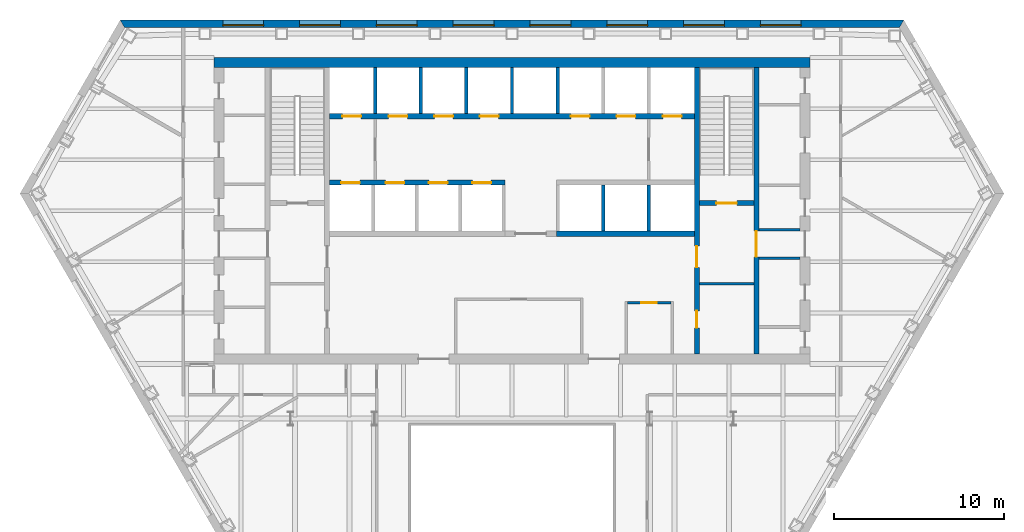
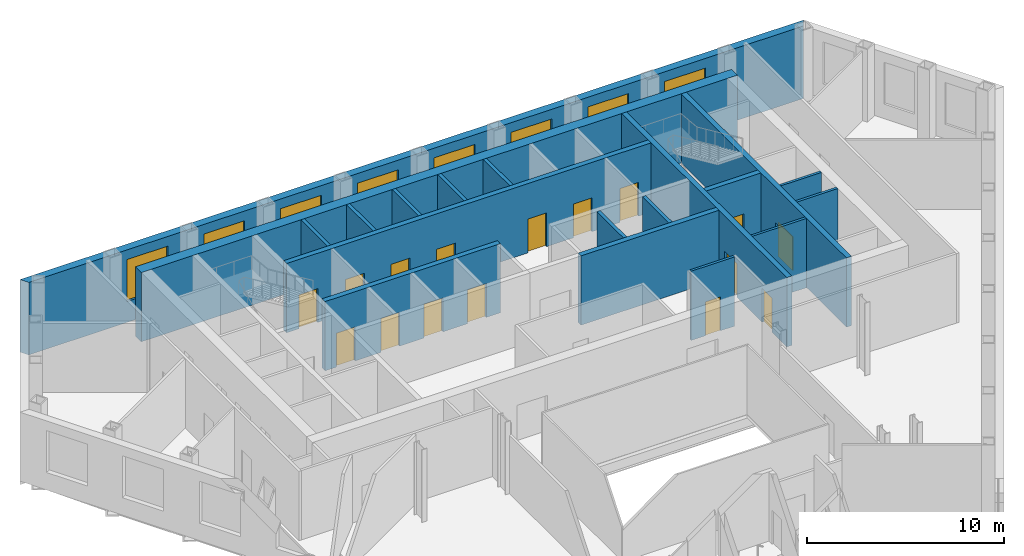
# One storey, part 7 of 11: 19 walls, 16 doors, 8 windows, 24 openings.
"""IFC4 building model written with IfcOpenShell, lengths in metres."""

from ifc_helpers import new_model, si_unit, direction, frame, frame_2d, origin, place, context, subcontext, project, spatial, polyline, rectangle, outline, extrude, material, layer, layer_set, type_object, element, fill, save


model = new_model("IFC4")

# Units and contexts
model_context = context("Model", 3, precision=1e-05, world=origin(), true_north=direction((0.0, 1.0)))
body_context = subcontext(model_context, "Body", "Model", "MODEL_VIEW")
ifc_project = project(units=[si_unit("LENGTHUNIT", "METRE"), si_unit("AREAUNIT", "SQUARE_METRE"), si_unit("VOLUMEUNIT", "CUBIC_METRE"), si_unit("PLANEANGLEUNIT", "RADIAN"), si_unit("MASSUNIT", "GRAM", prefix="KILO")], contexts=[model_context])

# Site, building, storey
site_placement = place(None, origin())
site = spatial("IfcSite", under=ifc_project, at=site_placement, CompositionType="ELEMENT")
building_placement = place(site_placement, origin())
building = spatial("IfcBuilding", under=site, at=building_placement, Name="Njiva Tower", CompositionType="ELEMENT")
storey_placement = place(building_placement, frame((0.0, 0.0, 33.3)))
storey = spatial("IfcBuildingStorey", under=building, at=storey_placement, Name="L06", CompositionType="ELEMENT", Elevation=33.3)

# Wall
ifc_material_1 = material(Name="Blockwork", Category="masonry")
ifc_layer_1 = layer(ifc_material_1, 0.15)
ifc_layer_set_1 = layer_set([ifc_layer_1], Name="Blockwork")
wall_type_1 = type_object("IfcWallType", Name="WT1 Compartment partition 150", PredefinedType="PARTITIONING", material=ifc_layer_set_1)
wall_1_placement = place(storey_placement, frame((11.0, 4.725, 0.0), z_axis=(0.0, 0.0, 1.0), x_axis=(1.0, 0.0, 0.0)))
element("IfcWall", 1, at=wall_1_placement, inside=storey, type_object=wall_type_1, Name="Room wall B", PredefinedType="PARTITIONING", context=body_context, shape_type="SweptSolid", body=[
    extrude(rectangle(XDim=3.2, YDim=0.15, at=frame_2d((1.6, 0.0))), origin(), (0.0, 0.0, 1.0), 4.3),
])

# Wall, opening, door
wall_2_placement = place(storey_placement, frame((6.775, 3.6, 0.0), z_axis=(0.0, 0.0, 1.0), x_axis=(1.0, 0.0, 0.0)))
wall_2 = element("IfcWall", 2, at=wall_2_placement, inside=storey, type_object=wall_type_1, Name="Tenant reception wall north", PredefinedType="PARTITIONING", context=body_context, shape_type="SweptSolid", body=[
    extrude(rectangle(XDim=2.55, YDim=0.15, at=frame_2d((1.275, 0.0))), origin(), (0.0, 0.0, 1.0), 4.3),
])
opening_1_placement = place(wall_2_placement, frame((0.825, 0.0, 0.0)))
opening_1 = element("IfcOpeningElement", 3, at=opening_1_placement, cuts=wall_2, Name="Opening S02-D935", PredefinedType="OPENING", context=body_context, shape_type="SweptSolid", body=[
    extrude(rectangle(XDim=0.9, YDim=2.1, at=frame_2d((0.45, 1.05))), frame((0.0, 0.085, 0.0), z_axis=(0.0, -1.0, 0.0), x_axis=(1.0, 0.0, 0.0)), (0.0, 0.0, 1.0), 0.17),
])
ifc_material_2 = material(Name="Steel fire door, painted", Category="steel")
door_type_1 = type_object("IfcDoorType", Name="D6 Fire-rated door 900x2100", OperationType="SINGLE_SWING_LEFT", PredefinedType="DOOR", material=ifc_material_2)
door_1_placement = place(opening_1_placement, origin())
door_1 = element("IfcDoor", 4, at=door_1_placement, inside=storey, type_object=door_type_1, Name="Tenant reception door", OperationType="SINGLE_SWING_RIGHT", OverallHeight=2.1, OverallWidth=0.9, PredefinedType="DOOR", context=body_context, shape_type="SweptSolid", body=[
    extrude(rectangle(XDim=0.9, YDim=2.1, at=frame_2d((0.45, 1.05))), frame((0.0, 0.025, 0.0), z_axis=(0.0, -1.0, 0.0), x_axis=(1.0, 0.0, 0.0)), (0.0, 0.0, 1.0), 0.05),
])
fill(opening_1, door_1)

# Wall, openings, doors
ifc_material_3 = material(Name="Concrete C40/50", Category="concrete")
ifc_layer_2 = layer(ifc_material_3, 0.3)
ifc_layer_set_2 = layer_set([ifc_layer_2], Name="Concrete C40/50")
wall_type_2 = type_object("IfcWallType", Name="WT10 Stair enclosure wall 300", PredefinedType="SHEAR", material=ifc_layer_set_2)
wall_3_placement = place(storey_placement, frame((10.85, 0.6, 0.0), z_axis=(0.0, 0.0, 1.0), x_axis=(0.0, 1.0, 0.0)))
wall_3 = element("IfcWall", 5, at=wall_3_placement, inside=storey, type_object=wall_type_2, Name="Stair wall east inner", PredefinedType="SHEAR", context=body_context, shape_type="SweptSolid", body=[
    extrude(rectangle(XDim=16.8, YDim=0.3, at=frame_2d((8.4, 0.0))), origin(), (0.0, 0.0, 1.0), 4.3),
])
opening_2_placement = place(wall_3_placement, frame((5.075, 0.0, 0.0)))
opening_2 = element("IfcOpeningElement", 6, at=opening_2_placement, cuts=wall_3, Name="Opening S02-D918", PredefinedType="OPENING", context=body_context, shape_type="SweptSolid", body=[
    extrude(rectangle(XDim=1.25, YDim=2.1, at=frame_2d((0.625, 1.05))), frame((0.0, 0.16, 0.0), z_axis=(0.0, -1.0, 0.0), x_axis=(1.0, 0.0, 0.0)), (0.0, 0.0, 1.0), 0.32),
])
opening_3_placement = place(wall_3_placement, frame((1.525, 0.0, 0.0)))
opening_3 = element("IfcOpeningElement", 7, at=opening_3_placement, cuts=wall_3, Name="Opening S02-D919", PredefinedType="OPENING", context=body_context, shape_type="SweptSolid", body=[
    extrude(rectangle(XDim=1.0, YDim=2.1, at=frame_2d((0.5, 1.05))), frame((0.0, 0.16, 0.0), z_axis=(0.0, -1.0, 0.0), x_axis=(1.0, 0.0, 0.0)), (0.0, 0.0, 1.0), 0.32),
])
ifc_material_4 = material(Name="Steel door, painted", Category="steel")
door_type_2 = type_object("IfcDoorType", Name="D5 Steel door 1000x2100", OperationType="SINGLE_SWING_LEFT", PredefinedType="DOOR", material=ifc_material_4)
door_2_placement = place(opening_3_placement, origin())
door_2 = element("IfcDoor", 8, at=door_2_placement, inside=storey, type_object=door_type_2, Name="Prayer room door", OperationType="SINGLE_SWING_LEFT", OverallHeight=2.1, OverallWidth=1.0, PredefinedType="DOOR", context=body_context, shape_type="SweptSolid", body=[
    extrude(rectangle(XDim=1.0, YDim=2.1, at=frame_2d((0.5, 1.05))), frame((0.0, 0.025, 0.0), z_axis=(0.0, -1.0, 0.0), x_axis=(1.0, 0.0, 0.0)), (0.0, 0.0, 1.0), 0.05),
])
fill(opening_3, door_2)
ifc_material_5 = material(Name="Glazed steel fire door", Category="steel")
door_type_3 = type_object("IfcDoorType", Name="D8 Vestibule corridor door 1250x2100 glazed", OperationType="SINGLE_SWING_LEFT", PredefinedType="DOOR", material=ifc_material_5)
door_3_placement = place(opening_2_placement, origin())
door_3 = element("IfcDoor", 9, at=door_3_placement, inside=storey, type_object=door_type_3, Name="Stair vestibule corridor door", OperationType="SINGLE_SWING_RIGHT", OverallHeight=2.1, OverallWidth=1.25, PredefinedType="DOOR", context=body_context, shape_type="SweptSolid", body=[
    extrude(rectangle(XDim=1.25, YDim=2.1, at=frame_2d((0.625, 1.05))), frame((0.0, 0.025, 0.0), z_axis=(0.0, -1.0, 0.0), x_axis=(1.0, 0.0, 0.0)), (0.0, 0.0, 1.0), 0.05),
])
fill(opening_2, door_3)

# Wall, opening, door
wall_4_placement = place(storey_placement, frame((14.35, 0.6, 0.0), z_axis=(0.0, 0.0, 1.0), x_axis=(0.0, 1.0, 0.0)))
wall_4 = element("IfcWall", 10, at=wall_4_placement, inside=storey, type_object=wall_type_2, Name="Stair wall east outer", PredefinedType="SHEAR", context=body_context, shape_type="SweptSolid", body=[
    extrude(rectangle(XDim=16.8, YDim=0.3, at=frame_2d((8.4, 0.0))), origin(), (0.0, 0.0, 1.0), 4.3),
])
opening_4_placement = place(wall_4_placement, frame((5.7, 0.0, 0.0)))
opening_4 = element("IfcOpeningElement", 11, at=opening_4_placement, cuts=wall_4, Name="Opening S02-D927", PredefinedType="OPENING", context=body_context, shape_type="SweptSolid", body=[
    extrude(rectangle(XDim=1.5, YDim=2.1, at=frame_2d((0.75, 1.05))), frame((0.0, 0.16, 0.0), z_axis=(0.0, -1.0, 0.0), x_axis=(1.0, 0.0, 0.0)), (0.0, 0.0, 1.0), 0.32),
])
door_type_4 = type_object("IfcDoorType", Name="D10 Exit door double 1500x2100 glazed", OperationType="DOUBLE_DOOR_SINGLE_SWING", PredefinedType="DOOR", material=ifc_material_5)
door_4_placement = place(opening_4_placement, origin())
door_4 = element("IfcDoor", 12, at=door_4_placement, inside=storey, type_object=door_type_4, Name="Stair B passage door", OperationType="DOUBLE_DOOR_SINGLE_SWING", OverallHeight=2.1, OverallWidth=1.5, PredefinedType="DOOR", context=body_context, shape_type="SweptSolid", body=[
    extrude(rectangle(XDim=1.5, YDim=2.1, at=frame_2d((0.75, 1.05))), frame((0.0, 0.025, 0.0), z_axis=(0.0, -1.0, 0.0), x_axis=(1.0, 0.0, 0.0)), (0.0, 0.0, 1.0), 0.05),
])
fill(opening_4, door_4)

wall_5_placement = place(storey_placement, frame((11.0, 9.45, 0.0), z_axis=(0.0, 0.0, 1.0), x_axis=(1.0, 0.0, 0.0)))
wall_5 = element("IfcWall", 13, at=wall_5_placement, inside=storey, type_object=wall_type_2, Name="Stair B south wall", PredefinedType="SHEAR", context=body_context, shape_type="SweptSolid", body=[
    extrude(rectangle(XDim=3.2, YDim=0.3, at=frame_2d((1.6, 0.0))), origin(), (0.0, 0.0, 1.0), 4.3),
])
opening_5_placement = place(wall_5_placement, frame((1.0, 0.0, 0.0)))
opening_5 = element("IfcOpeningElement", 14, at=opening_5_placement, cuts=wall_5, Name="Opening S02-D917", PredefinedType="OPENING", context=body_context, shape_type="SweptSolid", body=[
    extrude(rectangle(XDim=1.2, YDim=2.1, at=frame_2d((0.6, 1.05))), frame((0.0, 0.16, 0.0), z_axis=(0.0, -1.0, 0.0), x_axis=(1.0, 0.0, 0.0)), (0.0, 0.0, 1.0), 0.32),
])
door_type_5 = type_object("IfcDoorType", Name="D7 Stair vestibule door 1200x2100 glazed", OperationType="SINGLE_SWING_LEFT", PredefinedType="DOOR", material=ifc_material_5)
door_5_placement = place(opening_5_placement, origin())
door_5 = element("IfcDoor", 15, at=door_5_placement, inside=storey, type_object=door_type_5, Name="Stair B door", OperationType="SINGLE_SWING_LEFT", OverallHeight=2.1, OverallWidth=1.2, PredefinedType="DOOR", context=body_context, shape_type="SweptSolid", body=[
    extrude(rectangle(XDim=1.2, YDim=2.1, at=frame_2d((0.6, 1.05))), frame((0.0, 0.025, 0.0), z_axis=(0.0, -1.0, 0.0), x_axis=(1.0, 0.0, 0.0)), (0.0, 0.0, 1.0), 0.05),
])
fill(opening_5, door_5)

# Walls
ifc_material_6 = material(Name="Concrete C60/75", Category="concrete")
ifc_layer_3 = layer(ifc_material_6, 0.6)
ifc_layer_set_3 = layer_set([ifc_layer_3], Name="Concrete C60/75")
wall_type_3 = type_object("IfcWallType", Name="WT15 Core wall 600", PredefinedType="SHEAR", material=ifc_layer_set_3)
wall_6_placement = place(storey_placement, frame((-17.5, 17.7, 0.0), z_axis=(0.0, 0.0, 1.0), x_axis=(1.0, 0.0, 0.0)))
element("IfcWall", 16, at=wall_6_placement, inside=storey, type_object=wall_type_3, Name="Core wall north", PredefinedType="SHEAR", context=body_context, shape_type="SweptSolid", body=[
    extrude(rectangle(XDim=35.0, YDim=0.6, at=frame_2d((17.5, 0.0))), origin(), (0.0, 0.0, 1.0), 4.3),
])
ifc_layer_4 = layer(ifc_material_1, 0.15)
ifc_layer_set_4 = layer_set([ifc_layer_4], Name="Blockwork")
wall_type_4 = type_object("IfcWallType", Name="WT4 Stair partition 150", PredefinedType="PARTITIONING", material=ifc_layer_set_4)
for number, where, z_axis, x_axis, name in (
    (17, (14.5, 6.225, 0.0), (0.0, 0.0, 1.0), (1.0, 0.0, 0.0), "Stair B exit passage wall south"),
    (18, (14.5, 7.875, 0.0), (0.0, 0.0, 1.0), (1.0, 0.0, 0.0), "Stair B exit passage wall north"),
):
    element("IfcWall", number, at=place(storey_placement, frame(where, z_axis=z_axis, x_axis=x_axis)), inside=storey, type_object=wall_type_4, Name=name, PredefinedType="PARTITIONING", context=body_context, shape_type="SweptSolid", body=[
        extrude(rectangle(XDim=2.4, YDim=0.15, at=frame_2d((1.2, 0.0))), origin(), (0.0, 0.0, 1.0), 4.3),
    ])
ifc_layer_5 = layer(ifc_material_3, 0.2)
ifc_layer_set_5 = layer_set([ifc_layer_5], Name="Concrete C40/50")
wall_type_5 = type_object("IfcWallType", Name="WT6 Lift shaft wall 200", PredefinedType="SHEAR", material=ifc_layer_set_5)
for number, where, z_axis, x_axis, name in (
    (19, (-8.025, 14.7, 0.0), (0.0, 0.0, 1.0), (0.0, 1.0, 0.0), "Shaft wall CN1"),
    (20, (-5.35, 14.7, 0.0), (0.0, 0.0, 1.0), (0.0, 1.0, 0.0), "Shaft wall CN2"),
    (21, (-2.675, 14.7, 0.0), (0.0, 0.0, 1.0), (0.0, 1.0, 0.0), "Shaft wall CN3"),
    (22, (0.0, 14.7, 0.0), (0.0, 0.0, 1.0), (0.0, 1.0, 0.0), "Shaft wall CN4"),
    (23, (2.675, 14.7, 0.0), (0.0, 0.0, 1.0), (0.0, 1.0, 0.0), "Shaft wall CN5"),
    (24, (5.3667, 7.8, 0.0), (0.0, 0.0, 1.0), (0.0, 1.0, 0.0), "Shaft wall CS6"),
    (25, (8.0333, 7.8, 0.0), (0.0, 0.0, 1.0), (0.0, 1.0, 0.0), "Shaft wall CS7"),
):
    element("IfcWall", number, at=place(storey_placement, frame(where, z_axis=z_axis, x_axis=x_axis)), inside=storey, type_object=wall_type_5, Name=name, PredefinedType="SHEAR", context=body_context, shape_type="SweptSolid", body=[
        extrude(rectangle(XDim=2.7, YDim=0.2, at=frame_2d((1.35, 0.0))), origin(), (0.0, 0.0, 1.0), 4.3),
    ])

# Wall, openings, doors
ifc_layer_6 = layer(ifc_material_3, 0.3)
ifc_layer_set_6 = layer_set([ifc_layer_6], Name="Concrete C40/50")
wall_type_6 = type_object("IfcWallType", Name="WT7 Lift shaft wall 300", PredefinedType="SHEAR", material=ifc_layer_set_6)
wall_7_placement = place(storey_placement, frame((-10.7, 14.55, 0.0), z_axis=(0.0, 0.0, 1.0), x_axis=(1.0, 0.0, 0.0)))
wall_7 = element("IfcWall", 26, at=wall_7_placement, inside=storey, type_object=wall_type_6, Name="Shaft wall north row lobby side", PredefinedType="SHEAR", context=body_context, shape_type="SweptSolid", body=[
    extrude(rectangle(XDim=21.4, YDim=0.3, at=frame_2d((10.7, 0.0))), origin(), (0.0, 0.0, 1.0), 4.3),
])
opening_6_placement = place(wall_7_placement, frame((0.7375, 0.0, 0.0)))
opening_6 = element("IfcOpeningElement", 27, at=opening_6_placement, cuts=wall_7, Name="Opening S02-D901", PredefinedType="OPENING", context=body_context, shape_type="SweptSolid", body=[
    extrude(rectangle(XDim=1.1, YDim=2.1, at=frame_2d((0.55, 1.05))), frame((0.0, 0.16, 0.0), z_axis=(0.0, -1.0, 0.0), x_axis=(1.0, 0.0, 0.0)), (0.0, 0.0, 1.0), 0.32),
])
opening_7_placement = place(wall_7_placement, frame((3.4625, 0.0, 0.0)))
opening_7 = element("IfcOpeningElement", 28, at=opening_7_placement, cuts=wall_7, Name="Opening S02-D902", PredefinedType="OPENING", context=body_context, shape_type="SweptSolid", body=[
    extrude(rectangle(XDim=1.1, YDim=2.1, at=frame_2d((0.55, 1.05))), frame((0.0, 0.16, 0.0), z_axis=(0.0, -1.0, 0.0), x_axis=(1.0, 0.0, 0.0)), (0.0, 0.0, 1.0), 0.32),
])
opening_8_placement = place(wall_7_placement, frame((6.1375, 0.0, 0.0)))
opening_8 = element("IfcOpeningElement", 29, at=opening_8_placement, cuts=wall_7, Name="Opening S02-D903", PredefinedType="OPENING", context=body_context, shape_type="SweptSolid", body=[
    extrude(rectangle(XDim=1.1, YDim=2.1, at=frame_2d((0.55, 1.05))), frame((0.0, 0.16, 0.0), z_axis=(0.0, -1.0, 0.0), x_axis=(1.0, 0.0, 0.0)), (0.0, 0.0, 1.0), 0.32),
])
opening_9_placement = place(wall_7_placement, frame((8.8125, 0.0, 0.0)))
opening_9 = element("IfcOpeningElement", 30, at=opening_9_placement, cuts=wall_7, Name="Opening S02-D904", PredefinedType="OPENING", context=body_context, shape_type="SweptSolid", body=[
    extrude(rectangle(XDim=1.1, YDim=2.1, at=frame_2d((0.55, 1.05))), frame((0.0, 0.16, 0.0), z_axis=(0.0, -1.0, 0.0), x_axis=(1.0, 0.0, 0.0)), (0.0, 0.0, 1.0), 0.32),
])
opening_10_placement = place(wall_7_placement, frame((14.1625, 0.0, 0.0)))
opening_10 = element("IfcOpeningElement", 31, at=opening_10_placement, cuts=wall_7, Name="Opening S02-D905", PredefinedType="OPENING", context=body_context, shape_type="SweptSolid", body=[
    extrude(rectangle(XDim=1.1, YDim=2.1, at=frame_2d((0.55, 1.05))), frame((0.0, 0.16, 0.0), z_axis=(0.0, -1.0, 0.0), x_axis=(1.0, 0.0, 0.0)), (0.0, 0.0, 1.0), 0.32),
])
opening_11_placement = place(wall_7_placement, frame((16.8375, 0.0, 0.0)))
opening_11 = element("IfcOpeningElement", 32, at=opening_11_placement, cuts=wall_7, Name="Opening S02-D906", PredefinedType="OPENING", context=body_context, shape_type="SweptSolid", body=[
    extrude(rectangle(XDim=1.1, YDim=2.1, at=frame_2d((0.55, 1.05))), frame((0.0, 0.16, 0.0), z_axis=(0.0, -1.0, 0.0), x_axis=(1.0, 0.0, 0.0)), (0.0, 0.0, 1.0), 0.32),
])
opening_12_placement = place(wall_7_placement, frame((19.5625, 0.0, 0.0)))
opening_12 = element("IfcOpeningElement", 33, at=opening_12_placement, cuts=wall_7, Name="Opening S02-D907", PredefinedType="OPENING", context=body_context, shape_type="SweptSolid", body=[
    extrude(rectangle(XDim=1.1, YDim=2.1, at=frame_2d((0.55, 1.05))), frame((0.0, 0.16, 0.0), z_axis=(0.0, -1.0, 0.0), x_axis=(1.0, 0.0, 0.0)), (0.0, 0.0, 1.0), 0.32),
])
ifc_material_7 = material(Name="Stainless steel sliding door", Category="steel")
door_type_6 = type_object("IfcDoorType", Name="LD Lift landing door 1100x2100", OperationType="SLIDING_TO_LEFT", PredefinedType="DOOR", material=ifc_material_7)
door_6_placement = place(opening_6_placement, origin())
door_6 = element("IfcDoor", 34, at=door_6_placement, inside=storey, type_object=door_type_6, Name="Lift landing door FF1", OperationType="SLIDING_TO_LEFT", OverallHeight=2.1, OverallWidth=1.1, PredefinedType="DOOR", context=body_context, shape_type="SweptSolid", body=[
    extrude(rectangle(XDim=1.1, YDim=2.1, at=frame_2d((0.55, 1.05))), frame((0.0, 0.025, 0.0), z_axis=(0.0, -1.0, 0.0), x_axis=(1.0, 0.0, 0.0)), (0.0, 0.0, 1.0), 0.05),
])
fill(opening_6, door_6)
door_7_placement = place(opening_7_placement, origin())
door_7 = element("IfcDoor", 35, at=door_7_placement, inside=storey, type_object=door_type_6, Name="Lift landing door LB1", OperationType="SLIDING_TO_LEFT", OverallHeight=2.1, OverallWidth=1.1, PredefinedType="DOOR", context=body_context, shape_type="SweptSolid", body=[
    extrude(rectangle(XDim=1.1, YDim=2.1, at=frame_2d((0.55, 1.05))), frame((0.0, 0.025, 0.0), z_axis=(0.0, -1.0, 0.0), x_axis=(1.0, 0.0, 0.0)), (0.0, 0.0, 1.0), 0.05),
])
fill(opening_7, door_7)
door_8_placement = place(opening_8_placement, origin())
door_8 = element("IfcDoor", 36, at=door_8_placement, inside=storey, type_object=door_type_6, Name="Lift landing door LB2", OperationType="SLIDING_TO_LEFT", OverallHeight=2.1, OverallWidth=1.1, PredefinedType="DOOR", context=body_context, shape_type="SweptSolid", body=[
    extrude(rectangle(XDim=1.1, YDim=2.1, at=frame_2d((0.55, 1.05))), frame((0.0, 0.025, 0.0), z_axis=(0.0, -1.0, 0.0), x_axis=(1.0, 0.0, 0.0)), (0.0, 0.0, 1.0), 0.05),
])
fill(opening_8, door_8)
door_9_placement = place(opening_9_placement, origin())
door_9 = element("IfcDoor", 37, at=door_9_placement, inside=storey, type_object=door_type_6, Name="Lift landing door LB3", OperationType="SLIDING_TO_LEFT", OverallHeight=2.1, OverallWidth=1.1, PredefinedType="DOOR", context=body_context, shape_type="SweptSolid", body=[
    extrude(rectangle(XDim=1.1, YDim=2.1, at=frame_2d((0.55, 1.05))), frame((0.0, 0.025, 0.0), z_axis=(0.0, -1.0, 0.0), x_axis=(1.0, 0.0, 0.0)), (0.0, 0.0, 1.0), 0.05),
])
fill(opening_9, door_9)
door_10_placement = place(opening_10_placement, origin())
door_10 = element("IfcDoor", 38, at=door_10_placement, inside=storey, type_object=door_type_6, Name="Lift landing door FR1", OperationType="SLIDING_TO_LEFT", OverallHeight=2.1, OverallWidth=1.1, PredefinedType="DOOR", context=body_context, shape_type="SweptSolid", body=[
    extrude(rectangle(XDim=1.1, YDim=2.1, at=frame_2d((0.55, 1.05))), frame((0.0, 0.025, 0.0), z_axis=(0.0, -1.0, 0.0), x_axis=(1.0, 0.0, 0.0)), (0.0, 0.0, 1.0), 0.05),
])
fill(opening_10, door_10)
door_11_placement = place(opening_11_placement, origin())
door_11 = element("IfcDoor", 39, at=door_11_placement, inside=storey, type_object=door_type_6, Name="Lift landing door FR2", OperationType="SLIDING_TO_LEFT", OverallHeight=2.1, OverallWidth=1.1, PredefinedType="DOOR", context=body_context, shape_type="SweptSolid", body=[
    extrude(rectangle(XDim=1.1, YDim=2.1, at=frame_2d((0.55, 1.05))), frame((0.0, 0.025, 0.0), z_axis=(0.0, -1.0, 0.0), x_axis=(1.0, 0.0, 0.0)), (0.0, 0.0, 1.0), 0.05),
])
fill(opening_11, door_11)
door_12_placement = place(opening_12_placement, origin())
door_12 = element("IfcDoor", 40, at=door_12_placement, inside=storey, type_object=door_type_6, Name="Lift landing door FF2", OperationType="SLIDING_TO_LEFT", OverallHeight=2.1, OverallWidth=1.1, PredefinedType="DOOR", context=body_context, shape_type="SweptSolid", body=[
    extrude(rectangle(XDim=1.1, YDim=2.1, at=frame_2d((0.55, 1.05))), frame((0.0, 0.025, 0.0), z_axis=(0.0, -1.0, 0.0), x_axis=(1.0, 0.0, 0.0)), (0.0, 0.0, 1.0), 0.05),
])
fill(opening_12, door_12)

wall_8_placement = place(storey_placement, frame((-10.7, 10.65, 0.0), z_axis=(0.0, 0.0, 1.0), x_axis=(1.0, 0.0, 0.0)))
wall_8 = element("IfcWall", 41, at=wall_8_placement, inside=storey, type_object=wall_type_6, Name="Shaft wall south row lobby side W", PredefinedType="SHEAR", context=body_context, shape_type="SweptSolid", body=[
    extrude(rectangle(XDim=10.3, YDim=0.3, at=frame_2d((5.15, 0.0))), origin(), (0.0, 0.0, 1.0), 4.3),
])
opening_13_placement = place(wall_8_placement, frame((0.675, 0.0, 0.0)))
opening_13 = element("IfcOpeningElement", 42, at=opening_13_placement, cuts=wall_8, Name="Opening S02-D908", PredefinedType="OPENING", context=body_context, shape_type="SweptSolid", body=[
    extrude(rectangle(XDim=1.1, YDim=2.1, at=frame_2d((0.55, 1.05))), frame((0.0, 0.16, 0.0), z_axis=(0.0, -1.0, 0.0), x_axis=(1.0, 0.0, 0.0)), (0.0, 0.0, 1.0), 0.32),
])
opening_14_placement = place(wall_8_placement, frame((3.275, 0.0, 0.0)))
opening_14 = element("IfcOpeningElement", 43, at=opening_14_placement, cuts=wall_8, Name="Opening S02-D909", PredefinedType="OPENING", context=body_context, shape_type="SweptSolid", body=[
    extrude(rectangle(XDim=1.1, YDim=2.1, at=frame_2d((0.55, 1.05))), frame((0.0, 0.16, 0.0), z_axis=(0.0, -1.0, 0.0), x_axis=(1.0, 0.0, 0.0)), (0.0, 0.0, 1.0), 0.32),
])
opening_15_placement = place(wall_8_placement, frame((5.825, 0.0, 0.0)))
opening_15 = element("IfcOpeningElement", 44, at=opening_15_placement, cuts=wall_8, Name="Opening S02-D910", PredefinedType="OPENING", context=body_context, shape_type="SweptSolid", body=[
    extrude(rectangle(XDim=1.1, YDim=2.1, at=frame_2d((0.55, 1.05))), frame((0.0, 0.16, 0.0), z_axis=(0.0, -1.0, 0.0), x_axis=(1.0, 0.0, 0.0)), (0.0, 0.0, 1.0), 0.32),
])
opening_16_placement = place(wall_8_placement, frame((8.375, 0.0, 0.0)))
opening_16 = element("IfcOpeningElement", 45, at=opening_16_placement, cuts=wall_8, Name="Opening S02-D911", PredefinedType="OPENING", context=body_context, shape_type="SweptSolid", body=[
    extrude(rectangle(XDim=1.1, YDim=2.1, at=frame_2d((0.55, 1.05))), frame((0.0, 0.16, 0.0), z_axis=(0.0, -1.0, 0.0), x_axis=(1.0, 0.0, 0.0)), (0.0, 0.0, 1.0), 0.32),
])
door_13_placement = place(opening_13_placement, origin())
door_13 = element("IfcDoor", 46, at=door_13_placement, inside=storey, type_object=door_type_6, Name="Lift landing door LB4", OperationType="SLIDING_TO_LEFT", OverallHeight=2.1, OverallWidth=1.1, PredefinedType="DOOR", context=body_context, shape_type="SweptSolid", body=[
    extrude(rectangle(XDim=1.1, YDim=2.1, at=frame_2d((0.55, 1.05))), frame((0.0, 0.025, 0.0), z_axis=(0.0, -1.0, 0.0), x_axis=(1.0, 0.0, 0.0)), (0.0, 0.0, 1.0), 0.05),
])
fill(opening_13, door_13)
door_14_placement = place(opening_14_placement, origin())
door_14 = element("IfcDoor", 47, at=door_14_placement, inside=storey, type_object=door_type_6, Name="Lift landing door LB5", OperationType="SLIDING_TO_LEFT", OverallHeight=2.1, OverallWidth=1.1, PredefinedType="DOOR", context=body_context, shape_type="SweptSolid", body=[
    extrude(rectangle(XDim=1.1, YDim=2.1, at=frame_2d((0.55, 1.05))), frame((0.0, 0.025, 0.0), z_axis=(0.0, -1.0, 0.0), x_axis=(1.0, 0.0, 0.0)), (0.0, 0.0, 1.0), 0.05),
])
fill(opening_14, door_14)
door_15_placement = place(opening_15_placement, origin())
door_15 = element("IfcDoor", 48, at=door_15_placement, inside=storey, type_object=door_type_6, Name="Lift landing door LB6", OperationType="SLIDING_TO_LEFT", OverallHeight=2.1, OverallWidth=1.1, PredefinedType="DOOR", context=body_context, shape_type="SweptSolid", body=[
    extrude(rectangle(XDim=1.1, YDim=2.1, at=frame_2d((0.55, 1.05))), frame((0.0, 0.025, 0.0), z_axis=(0.0, -1.0, 0.0), x_axis=(1.0, 0.0, 0.0)), (0.0, 0.0, 1.0), 0.05),
])
fill(opening_15, door_15)
door_16_placement = place(opening_16_placement, origin())
door_16 = element("IfcDoor", 49, at=door_16_placement, inside=storey, type_object=door_type_6, Name="Lift landing door LB7", OperationType="SLIDING_TO_LEFT", OverallHeight=2.1, OverallWidth=1.1, PredefinedType="DOOR", context=body_context, shape_type="SweptSolid", body=[
    extrude(rectangle(XDim=1.1, YDim=2.1, at=frame_2d((0.55, 1.05))), frame((0.0, 0.025, 0.0), z_axis=(0.0, -1.0, 0.0), x_axis=(1.0, 0.0, 0.0)), (0.0, 0.0, 1.0), 0.05),
])
fill(opening_16, door_16)

# Wall
wall_9_placement = place(storey_placement, frame((2.6, 7.65, 0.0), z_axis=(0.0, 0.0, 1.0), x_axis=(1.0, 0.0, 0.0)))
element("IfcWall", 50, at=wall_9_placement, inside=storey, type_object=wall_type_6, Name="Shaft wall south row back E", PredefinedType="SHEAR", context=body_context, shape_type="SweptSolid", body=[
    extrude(rectangle(XDim=8.1, YDim=0.3, at=frame_2d((4.05, 0.0))), origin(), (0.0, 0.0, 1.0), 4.3),
])

# Wall, openings, windows
ifc_material_8 = material(Name="Brick masonry", Category="masonry")
ifc_layer_7 = layer(ifc_material_8, 0.45)
ifc_layer_set_7 = layer_set([ifc_layer_7], Name="Brick masonry")
wall_type_7 = type_object("IfcWallType", Name="WT90 Brick pier and spandrel wall 450", PredefinedType="SOLIDWALL", material=ifc_layer_set_7)
wall_10_placement = place(storey_placement, frame((22.8751, 19.975, -0.4), z_axis=(0.0, 0.0, 1.0), x_axis=(-1.0, 0.0, 0.0)))
wall_10 = element("IfcWall", 51, at=wall_10_placement, inside=storey, type_object=wall_type_7, Name="Facade wall N", PredefinedType="SOLIDWALL", context=body_context, shape_type="SweptSolid", body=[
    extrude(outline(polyline([(-0.1299, -0.225), (45.8801, -0.225), (45.6203, 0.225), (0.1299, 0.225), (-0.1299, -0.225)])), origin(), (0.0, 0.0, 1.0), 4.5),
])
opening_17_placement = place(wall_10_placement, frame((5.8949, 0.0, 1.3)))
opening_17 = element("IfcOpeningElement", 52, at=opening_17_placement, cuts=wall_10, Name="Opening S02-W01", PredefinedType="OPENING", context=body_context, shape_type="SweptSolid", body=[
    extrude(rectangle(XDim=2.4, YDim=2.6, at=frame_2d((1.2, 1.3))), frame((0.0, 0.235, 0.0), z_axis=(0.0, -1.0, 0.0), x_axis=(1.0, 0.0, 0.0)), (0.0, 0.0, 1.0), 0.47),
])
opening_18_placement = place(wall_10_placement, frame((10.4035, 0.0, 1.3)))
opening_18 = element("IfcOpeningElement", 53, at=opening_18_placement, cuts=wall_10, Name="Opening S02-W02", PredefinedType="OPENING", context=body_context, shape_type="SweptSolid", body=[
    extrude(rectangle(XDim=2.4, YDim=2.6, at=frame_2d((1.2, 1.3))), frame((0.0, 0.235, 0.0), z_axis=(0.0, -1.0, 0.0), x_axis=(1.0, 0.0, 0.0)), (0.0, 0.0, 1.0), 0.47),
])
opening_19_placement = place(wall_10_placement, frame((14.9122, 0.0, 1.3)))
opening_19 = element("IfcOpeningElement", 54, at=opening_19_placement, cuts=wall_10, Name="Opening S02-W03", PredefinedType="OPENING", context=body_context, shape_type="SweptSolid", body=[
    extrude(rectangle(XDim=2.4, YDim=2.6, at=frame_2d((1.2, 1.3))), frame((0.0, 0.235, 0.0), z_axis=(0.0, -1.0, 0.0), x_axis=(1.0, 0.0, 0.0)), (0.0, 0.0, 1.0), 0.47),
])
opening_20_placement = place(wall_10_placement, frame((19.4208, 0.0, 1.3)))
opening_20 = element("IfcOpeningElement", 55, at=opening_20_placement, cuts=wall_10, Name="Opening S02-W04", PredefinedType="OPENING", context=body_context, shape_type="SweptSolid", body=[
    extrude(rectangle(XDim=2.4, YDim=2.6, at=frame_2d((1.2, 1.3))), frame((0.0, 0.235, 0.0), z_axis=(0.0, -1.0, 0.0), x_axis=(1.0, 0.0, 0.0)), (0.0, 0.0, 1.0), 0.47),
])
opening_21_placement = place(wall_10_placement, frame((23.9294, 0.0, 1.3)))
opening_21 = element("IfcOpeningElement", 56, at=opening_21_placement, cuts=wall_10, Name="Opening S02-W05", PredefinedType="OPENING", context=body_context, shape_type="SweptSolid", body=[
    extrude(rectangle(XDim=2.4, YDim=2.6, at=frame_2d((1.2, 1.3))), frame((0.0, 0.235, 0.0), z_axis=(0.0, -1.0, 0.0), x_axis=(1.0, 0.0, 0.0)), (0.0, 0.0, 1.0), 0.47),
])
opening_22_placement = place(wall_10_placement, frame((28.438, 0.0, 1.3)))
opening_22 = element("IfcOpeningElement", 57, at=opening_22_placement, cuts=wall_10, Name="Opening S02-W06", PredefinedType="OPENING", context=body_context, shape_type="SweptSolid", body=[
    extrude(rectangle(XDim=2.4, YDim=2.6, at=frame_2d((1.2, 1.3))), frame((0.0, 0.235, 0.0), z_axis=(0.0, -1.0, 0.0), x_axis=(1.0, 0.0, 0.0)), (0.0, 0.0, 1.0), 0.47),
])
opening_23_placement = place(wall_10_placement, frame((32.9466, 0.0, 1.3)))
opening_23 = element("IfcOpeningElement", 58, at=opening_23_placement, cuts=wall_10, Name="Opening S02-W07", PredefinedType="OPENING", context=body_context, shape_type="SweptSolid", body=[
    extrude(rectangle(XDim=2.4, YDim=2.6, at=frame_2d((1.2, 1.3))), frame((0.0, 0.235, 0.0), z_axis=(0.0, -1.0, 0.0), x_axis=(1.0, 0.0, 0.0)), (0.0, 0.0, 1.0), 0.47),
])
opening_24_placement = place(wall_10_placement, frame((37.4553, 0.0, 1.3)))
opening_24 = element("IfcOpeningElement", 59, at=opening_24_placement, cuts=wall_10, Name="Opening S02-W08", PredefinedType="OPENING", context=body_context, shape_type="SweptSolid", body=[
    extrude(rectangle(XDim=2.4, YDim=2.6, at=frame_2d((1.2, 1.3))), frame((0.0, 0.235, 0.0), z_axis=(0.0, -1.0, 0.0), x_axis=(1.0, 0.0, 0.0)), (0.0, 0.0, 1.0), 0.47),
])
ifc_material_9 = material(Name="Clear glazing in aluminium frame", Category="aluminium")
window_type = type_object("IfcWindowType", Name="W92 Deep-set window 2400x2600", PartitioningType="SINGLE_PANEL", PredefinedType="WINDOW", material=ifc_material_9)
window_1_placement = place(opening_17_placement, origin())
window_1 = element("IfcWindow", 60, at=window_1_placement, inside=storey, type_object=window_type, Name="Window", OverallHeight=2.6, OverallWidth=2.4, PartitioningType="SINGLE_PANEL", PredefinedType="WINDOW", context=body_context, shape_type="SweptSolid", body=[
    extrude(rectangle(XDim=2.4, YDim=2.6, at=frame_2d((1.2, 1.3))), frame((0.0, 0.105, 0.0), z_axis=(0.0, -1.0, 0.0), x_axis=(1.0, 0.0, 0.0)), (0.0, 0.0, 1.0), 0.06),
])
fill(opening_17, window_1)
window_2_placement = place(opening_18_placement, origin())
window_2 = element("IfcWindow", 61, at=window_2_placement, inside=storey, type_object=window_type, Name="Window", OverallHeight=2.6, OverallWidth=2.4, PartitioningType="SINGLE_PANEL", PredefinedType="WINDOW", context=body_context, shape_type="SweptSolid", body=[
    extrude(rectangle(XDim=2.4, YDim=2.6, at=frame_2d((1.2, 1.3))), frame((0.0, 0.105, 0.0), z_axis=(0.0, -1.0, 0.0), x_axis=(1.0, 0.0, 0.0)), (0.0, 0.0, 1.0), 0.06),
])
fill(opening_18, window_2)
window_3_placement = place(opening_19_placement, origin())
window_3 = element("IfcWindow", 62, at=window_3_placement, inside=storey, type_object=window_type, Name="Window", OverallHeight=2.6, OverallWidth=2.4, PartitioningType="SINGLE_PANEL", PredefinedType="WINDOW", context=body_context, shape_type="SweptSolid", body=[
    extrude(rectangle(XDim=2.4, YDim=2.6, at=frame_2d((1.2, 1.3))), frame((0.0, 0.105, 0.0), z_axis=(0.0, -1.0, 0.0), x_axis=(1.0, 0.0, 0.0)), (0.0, 0.0, 1.0), 0.06),
])
fill(opening_19, window_3)
window_4_placement = place(opening_20_placement, origin())
window_4 = element("IfcWindow", 63, at=window_4_placement, inside=storey, type_object=window_type, Name="Window", OverallHeight=2.6, OverallWidth=2.4, PartitioningType="SINGLE_PANEL", PredefinedType="WINDOW", context=body_context, shape_type="SweptSolid", body=[
    extrude(rectangle(XDim=2.4, YDim=2.6, at=frame_2d((1.2, 1.3))), frame((0.0, 0.105, 0.0), z_axis=(0.0, -1.0, 0.0), x_axis=(1.0, 0.0, 0.0)), (0.0, 0.0, 1.0), 0.06),
])
fill(opening_20, window_4)
window_5_placement = place(opening_21_placement, origin())
window_5 = element("IfcWindow", 64, at=window_5_placement, inside=storey, type_object=window_type, Name="Window", OverallHeight=2.6, OverallWidth=2.4, PartitioningType="SINGLE_PANEL", PredefinedType="WINDOW", context=body_context, shape_type="SweptSolid", body=[
    extrude(rectangle(XDim=2.4, YDim=2.6, at=frame_2d((1.2, 1.3))), frame((0.0, 0.105, 0.0), z_axis=(0.0, -1.0, 0.0), x_axis=(1.0, 0.0, 0.0)), (0.0, 0.0, 1.0), 0.06),
])
fill(opening_21, window_5)
window_6_placement = place(opening_22_placement, origin())
window_6 = element("IfcWindow", 65, at=window_6_placement, inside=storey, type_object=window_type, Name="Window", OverallHeight=2.6, OverallWidth=2.4, PartitioningType="SINGLE_PANEL", PredefinedType="WINDOW", context=body_context, shape_type="SweptSolid", body=[
    extrude(rectangle(XDim=2.4, YDim=2.6, at=frame_2d((1.2, 1.3))), frame((0.0, 0.105, 0.0), z_axis=(0.0, -1.0, 0.0), x_axis=(1.0, 0.0, 0.0)), (0.0, 0.0, 1.0), 0.06),
])
fill(opening_22, window_6)
window_7_placement = place(opening_23_placement, origin())
window_7 = element("IfcWindow", 66, at=window_7_placement, inside=storey, type_object=window_type, Name="Window", OverallHeight=2.6, OverallWidth=2.4, PartitioningType="SINGLE_PANEL", PredefinedType="WINDOW", context=body_context, shape_type="SweptSolid", body=[
    extrude(rectangle(XDim=2.4, YDim=2.6, at=frame_2d((1.2, 1.3))), frame((0.0, 0.105, 0.0), z_axis=(0.0, -1.0, 0.0), x_axis=(1.0, 0.0, 0.0)), (0.0, 0.0, 1.0), 0.06),
])
fill(opening_23, window_7)
window_8_placement = place(opening_24_placement, origin())
window_8 = element("IfcWindow", 67, at=window_8_placement, inside=storey, type_object=window_type, Name="Window", OverallHeight=2.6, OverallWidth=2.4, PartitioningType="SINGLE_PANEL", PredefinedType="WINDOW", context=body_context, shape_type="SweptSolid", body=[
    extrude(rectangle(XDim=2.4, YDim=2.6, at=frame_2d((1.2, 1.3))), frame((0.0, 0.105, 0.0), z_axis=(0.0, -1.0, 0.0), x_axis=(1.0, 0.0, 0.0)), (0.0, 0.0, 1.0), 0.06),
])
fill(opening_24, window_8)

save(model, "model.ifc")
